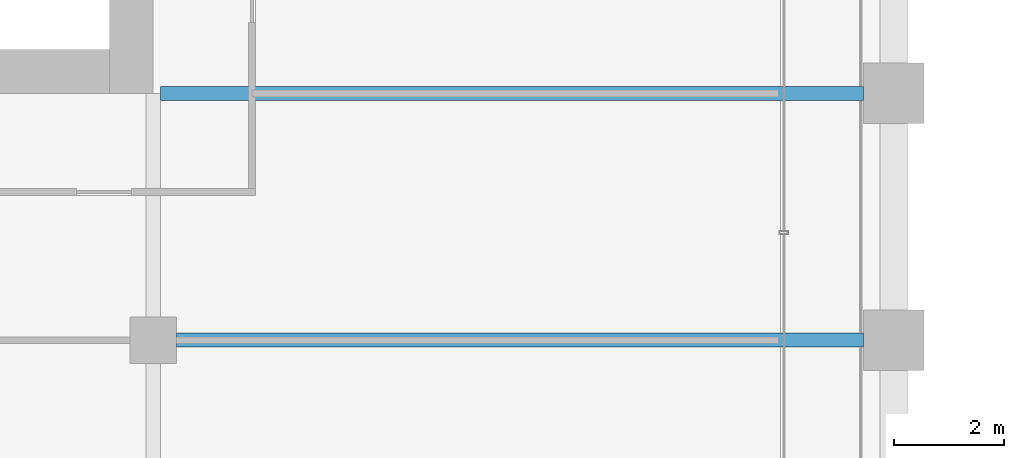
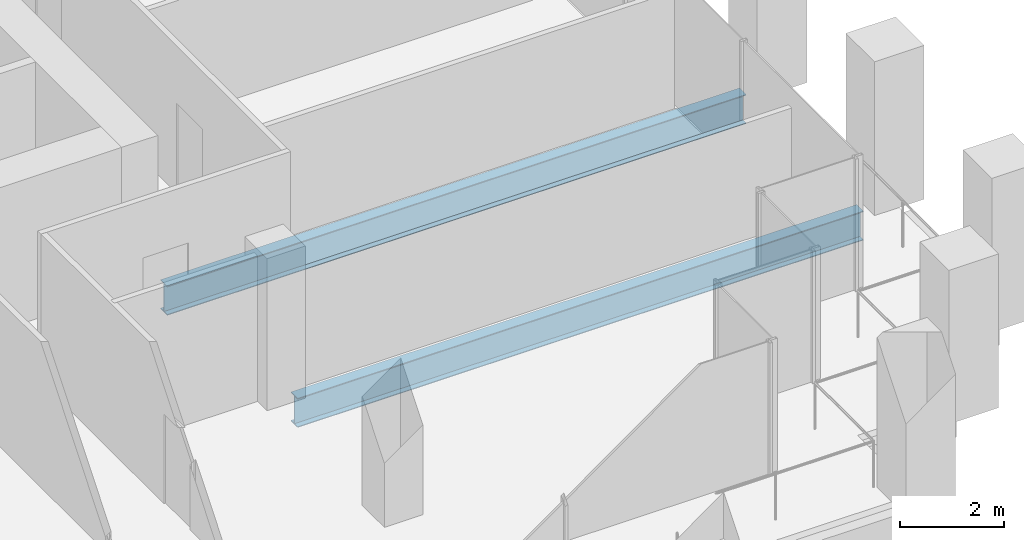
# One storey, part 17 of 56: 2 beams.
"""IFC4 building model written with IfcOpenShell, lengths in metres."""

from ifc_helpers import new_model, si_unit, direction, frame, origin, origin_2d, place, context, subcontext, project, spatial, i_section, extrude, material, material_profile, profile_set, type_object, element, save


model = new_model("IFC4")

# Units and contexts
model_context = context("Model", 3, precision=1e-05, world=origin(), true_north=direction((0.0, 1.0)))
body_context = subcontext(model_context, "Body", "Model", "MODEL_VIEW")
ifc_project = project(units=[si_unit("LENGTHUNIT", "METRE"), si_unit("AREAUNIT", "SQUARE_METRE"), si_unit("VOLUMEUNIT", "CUBIC_METRE"), si_unit("PLANEANGLEUNIT", "RADIAN"), si_unit("MASSUNIT", "GRAM", prefix="KILO")], contexts=[model_context])

# Site, building, storey
site_placement = place(None, origin())
site = spatial("IfcSite", under=ifc_project, at=site_placement, CompositionType="ELEMENT")
building_placement = place(site_placement, origin())
building = spatial("IfcBuilding", under=site, at=building_placement, Name="Altepetl Exchange Towers", CompositionType="ELEMENT")
storey_placement = place(building_placement, frame((0.0, 0.0, 72.60009765625)))
storey = spatial("IfcBuildingStorey", under=building, at=storey_placement, Name="L17", CompositionType="ELEMENT", Elevation=72.60009765625)

# Beams
ifc_material = material(Name="Steel S355", Category="steel")
ifc_material_profile = material_profile(ifc_material, i_section(OverallWidth=0.25390625, OverallDepth=0.68408203125, WebThickness=0.012451171875, FlangeThickness=0.018798828125, at=origin_2d()), Name="W27X94")
ifc_profile_set = profile_set([ifc_material_profile], Name="Steel S355")
beam_type = type_object("IfcBeamType", Name="Floor beam W27X94", PredefinedType="BEAM", material=ifc_profile_set)
beam_1_placement = place(storey_placement, frame((58.925048828125, 36.0, -0.4921875), z_axis=(1.0, 0.0, 0.0), x_axis=(0.0, 1.0, 0.0)))
element("IfcBeam", 1, at=beam_1_placement, inside=storey, type_object=beam_type, Name="bm:A:L17:007", PredefinedType="BEAM", context=body_context, shape_type="SweptSolid", body=[
    extrude(i_section(OverallWidth=0.25390625, OverallDepth=0.68408203125, WebThickness=0.012451171875, FlangeThickness=0.018798828125, at=origin_2d()), origin(), (0.0, 0.0, 1.0), 12.52490234375),
])
beam_2_placement = place(storey_placement, frame((58.634033203125, 40.5, -0.4921875), z_axis=(1.0, 0.0, 0.0), x_axis=(0.0, 1.0, 0.0)))
element("IfcBeam", 2, at=beam_2_placement, inside=storey, type_object=beam_type, Name="bm:A:L17:008", PredefinedType="BEAM", context=body_context, shape_type="SweptSolid", body=[
    extrude(i_section(OverallWidth=0.25390625, OverallDepth=0.68408203125, WebThickness=0.012451171875, FlangeThickness=0.018798828125, at=origin_2d()), origin(), (0.0, 0.0, 1.0), 12.81591796875),
])

save(model, "model.ifc")
